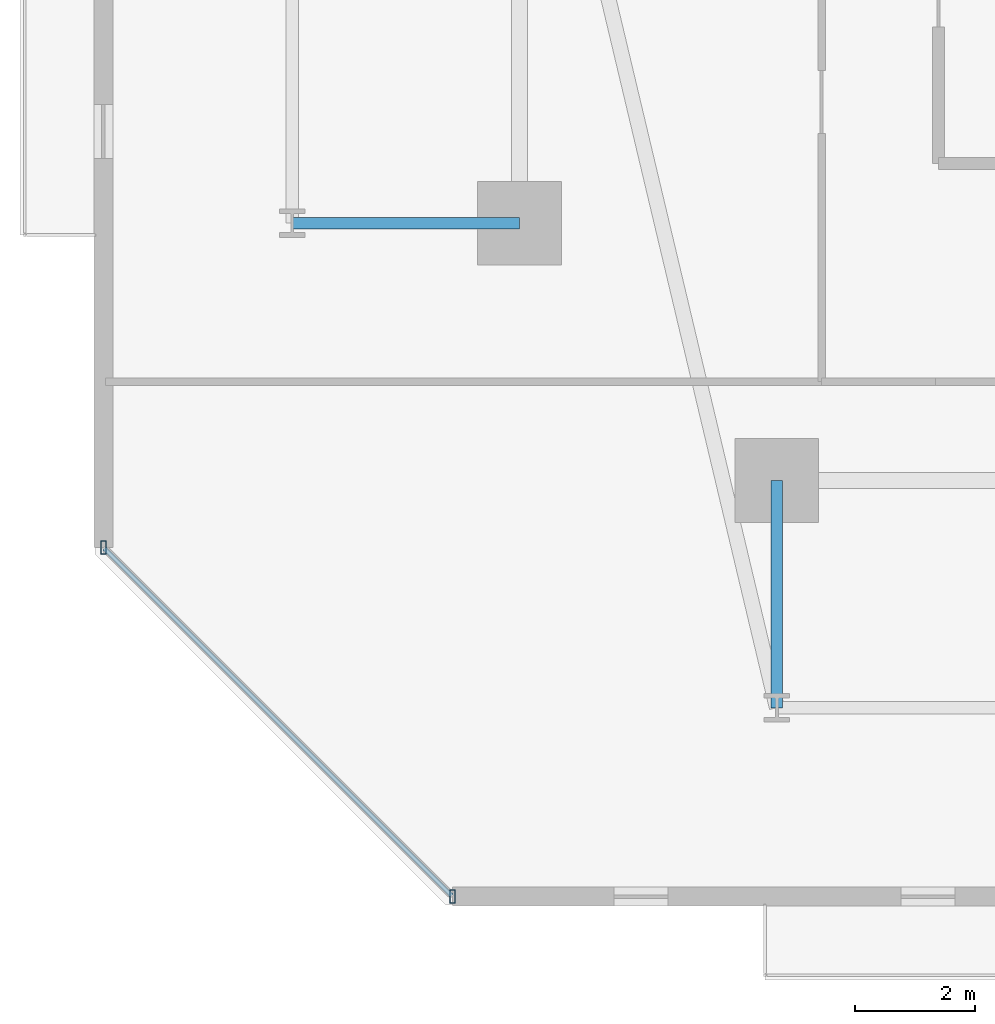
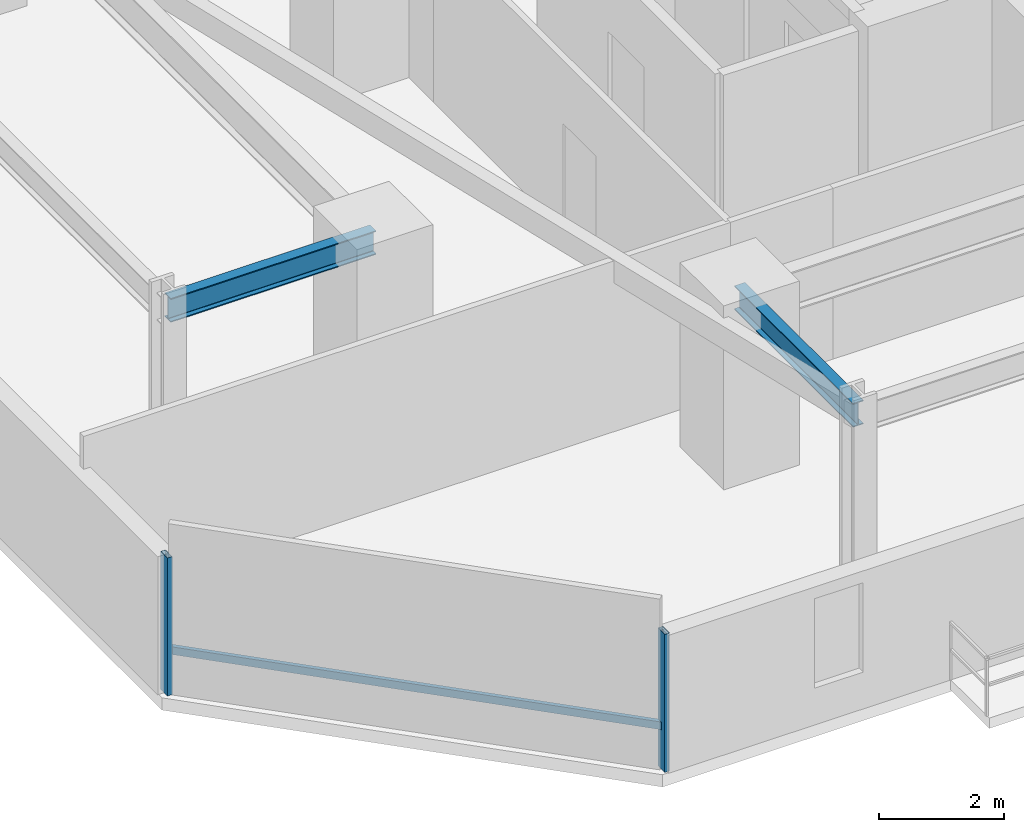
# One storey, part 3 of 33: 3 members, 2 beams, 1 element without a shape of its own.
"""IFC4 building model written with IfcOpenShell, lengths in metres."""

from ifc_helpers import new_model, si_unit, direction, frame, origin, origin_2d, place, context, subcontext, project, spatial, hollow_rectangle, i_section, extrude, material, material_profile, profile_set, type_object, element, aggregate, save


model = new_model("IFC4")

# Units and contexts
model_context = context("Model", 3, precision=1e-05, world=origin(), true_north=direction((0.0, 1.0)))
body_context = subcontext(model_context, "Body", "Model", "MODEL_VIEW")
ifc_project = project(units=[si_unit("LENGTHUNIT", "METRE"), si_unit("AREAUNIT", "SQUARE_METRE"), si_unit("VOLUMEUNIT", "CUBIC_METRE"), si_unit("PLANEANGLEUNIT", "RADIAN"), si_unit("MASSUNIT", "GRAM", prefix="KILO")], contexts=[model_context])

# Site, building, storey
site_placement = place(None, origin())
site = spatial("IfcSite", under=ifc_project, at=site_placement, CompositionType="ELEMENT")
building_placement = place(site_placement, origin())
building = spatial("IfcBuilding", under=site, at=building_placement, Name="Thornwick Lancets Civic Towers", CompositionType="ELEMENT")
storey_placement = place(building_placement, frame((0.0, 0.0, 31.5)))
storey = spatial("IfcBuildingStorey", under=building, at=storey_placement, Name="L07", CompositionType="ELEMENT", Elevation=31.5)

# Beams
ifc_material_1 = material(Name="Steel S355JR", Category="steel")
ifc_material_profile_1 = material_profile(ifc_material_1, i_section(OverallWidth=0.19287109375, OverallDepth=0.46728515625, WebThickness=0.011474609375, FlangeThickness=0.01953125, FilletRadius=0.01025390625, at=origin_2d()), Name="UKB 457x191x98")
ifc_profile_set_1 = profile_set([ifc_material_profile_1], Name="Steel S355JR")
beam_type = type_object("IfcBeamType", Name="BM_JOIST_457_98", PredefinedType="JOIST", material=ifc_profile_set_1)
for number, where, z_axis, x_axis, name in (
    (1, (12.5, 9.699951171875, 3.12646484375), (0.0, -1.0, 0.0), (1.0, 0.0, 0.0), "BM-RAD-L07-A01"),
    (2, (8.199951171875, 14.0, 3.12646484375), (-1.0, 0.0, 0.0), (0.0, -1.0, 0.0), "BM-RAD-L07-A10"),
):
    element("IfcBeam", number, at=place(storey_placement, frame(where, z_axis=z_axis, x_axis=x_axis)), inside=storey, type_object=beam_type, Name=name, PredefinedType="JOIST", context=body_context, shape_type="SweptSolid", body=[
        extrude(i_section(OverallWidth=0.19287109375, OverallDepth=0.46728515625, WebThickness=0.011474609375, FlangeThickness=0.01953125, FilletRadius=0.01025390625, at=origin_2d()), origin(), (0.0, 0.0, 1.0), 3.800048828125),
    ])

# Curtain wall, members
ifc_material_2 = material(Name="Low-zone chamfered-corner unitised glass curtain wall", Category="glass")
curtain_wall_type = type_object("IfcCurtainWallType", Name="CW_SYS_03", PredefinedType="NOTDEFINED", material=ifc_material_2)
curtain_wall_placement = place(storey_placement, origin())
curtain_wall = element("IfcCurtainWall", 3, at=curtain_wall_placement, inside=storey, type_object=curtain_wall_type, Name="L07 Curtain Wall CW-L07-A-E7", PredefinedType="NOTDEFINED")
ifc_material_3 = material(Name="Thermally broken bronze aluminium S355", Category="steel")
ifc_material_profile_2 = material_profile(ifc_material_3, hollow_rectangle(XDim=0.090087890625, YDim=0.219970703125, WallThickness=0.00634765625, at=origin_2d()), Name="RHS 220x90x6.3")
ifc_profile_set_2 = profile_set([ifc_material_profile_2], Name="Thermally broken bronze aluminium S355")
member_type_1 = type_object("IfcMemberType", Name="CW_MUL_220", PredefinedType="MULLION", material=ifc_profile_set_2)
member_1_placement = place(storey_placement, frame((1.24560546875, 8.57861328125, 0.0), z_axis=(0.0, 0.0, 1.0), x_axis=(1.0, 0.0, 0.0)))
member_1 = element("IfcMember", 4, at=member_1_placement, type_object=member_type_1, Name="CW-L07-A-E7 Mullion 0", PredefinedType="MULLION", context=body_context, shape_type="SweptSolid", body=[
    extrude(hollow_rectangle(XDim=0.090087890625, YDim=0.219970703125, WallThickness=0.00634765625, at=origin_2d()), origin(), (0.0, 0.0, 1.0), 2.699951171875),
])
member_2_placement = place(storey_placement, frame((7.07861328125, 2.74560546875, 0.0), z_axis=(0.0, 0.0, 1.0), x_axis=(1.0, 0.0, 0.0)))
member_2 = element("IfcMember", 5, at=member_2_placement, type_object=member_type_1, Name="CW-L07-A-E7 Mullion 1", PredefinedType="MULLION", context=body_context, shape_type="SweptSolid", body=[
    extrude(hollow_rectangle(XDim=0.090087890625, YDim=0.219970703125, WallThickness=0.00634765625, at=origin_2d()), origin(), (0.0, 0.0, 1.0), 2.699951171875),
])
ifc_material_profile_3 = material_profile(ifc_material_3, hollow_rectangle(XDim=0.074951171875, YDim=0.14990234375, WallThickness=0.0048828125, at=origin_2d()), Name="RHS 150x75x5")
ifc_profile_set_3 = profile_set([ifc_material_profile_3], Name="Thermally broken bronze aluminium S355")
member_type_2 = type_object("IfcMemberType", Name="CW_TRN_150", PredefinedType="USERDEFINED", material=ifc_profile_set_3)
member_3_placement = place(storey_placement, frame((1.259765625, 8.564697265625, 0.85009765625), z_axis=(0.707106781187, -0.707106781187, 0.0), x_axis=(0.707106781187, 0.707106781187, 0.0)))
member_3 = element("IfcMember", 6, at=member_3_placement, type_object=member_type_2, Name="CW-L07-A-E7 Transom 0", ObjectType="TRANSOM", PredefinedType="USERDEFINED", context=body_context, shape_type="SweptSolid", body=[
    extrude(hollow_rectangle(XDim=0.074951171875, YDim=0.14990234375, WallThickness=0.0048828125, at=origin_2d()), origin(), (0.0, 0.0, 1.0), 8.20947265625),
])
aggregate(curtain_wall, [member_1, member_2, member_3])

save(model, "model.ifc")
